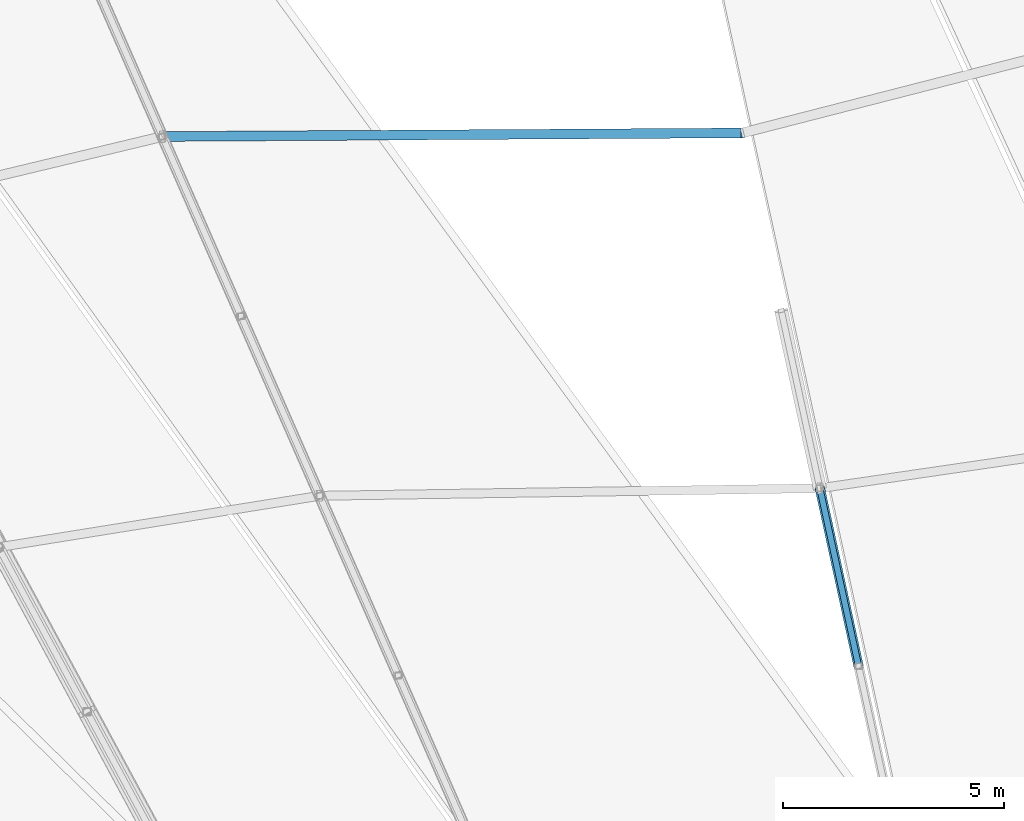
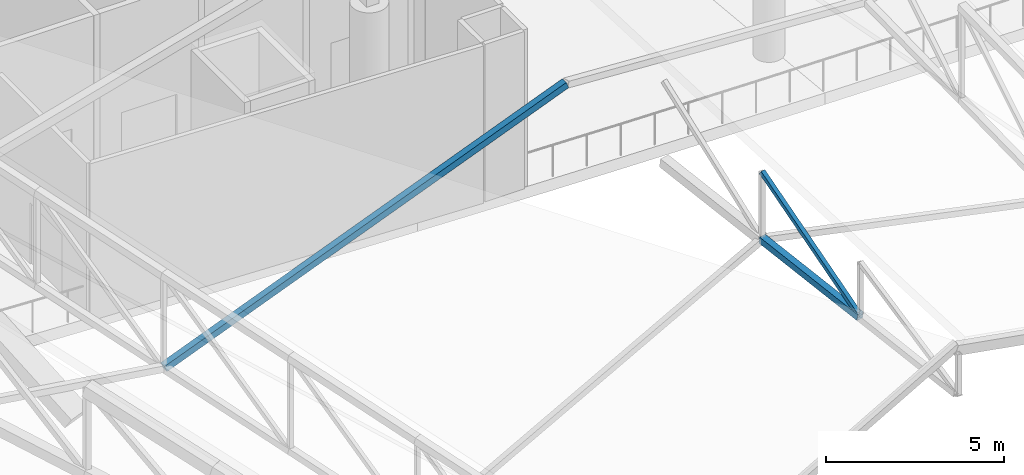
# One storey, part 148 of 344: 3 members.
"""IFC4 building model written with IfcOpenShell, lengths in metres."""

from ifc_helpers import new_model, si_unit, direction, frame, origin, origin_2d, place, context, subcontext, project, spatial, hollow_rectangle, extrude, material, material_profile, profile_set, type_object, element, save


model = new_model("IFC4")

# Units and contexts
model_context = context("Model", 3, precision=1e-05, world=origin(), true_north=direction((0.0, 1.0)))
body_context = subcontext(model_context, "Body", "Model", "MODEL_VIEW")
ifc_project = project(units=[si_unit("LENGTHUNIT", "METRE"), si_unit("AREAUNIT", "SQUARE_METRE"), si_unit("VOLUMEUNIT", "CUBIC_METRE"), si_unit("PLANEANGLEUNIT", "RADIAN"), si_unit("MASSUNIT", "GRAM", prefix="KILO")], contexts=[model_context])

# Site, building, storey
site_placement = place(None, origin())
site = spatial("IfcSite", under=ifc_project, at=site_placement, CompositionType="ELEMENT")
building_placement = place(site_placement, origin())
building = spatial("IfcBuilding", under=site, at=building_placement, Name="Meseta Stadium", CompositionType="ELEMENT")
storey_placement = place(building_placement, frame((0.0, 0.0, 24.0)))
storey = spatial("IfcBuildingStorey", under=building, at=storey_placement, Name="L04", CompositionType="ELEMENT", Elevation=24.0)

# Members
ifc_material_1 = material(Name="Steel S355", Category="steel")
ifc_material_profile_1 = material_profile(ifc_material_1, hollow_rectangle(XDim=0.139892578125, YDim=0.139892578125, WallThickness=0.0048828125, at=origin_2d()), Name="SHS 140x140x5")
ifc_profile_set_1 = profile_set([ifc_material_profile_1], Name="Steel S355")
member_type_1 = type_object("IfcMemberType", Name="SHS 140x140x5 diagonal", PredefinedType="BRACE", material=ifc_profile_set_1)
member_1_placement = place(storey_placement, frame((-15.2626953125, 69.847900390625, 5.834716796875), z_axis=(-0.174832190533, 0.803269823951, 0.569377989637), x_axis=(-0.977123732443, -0.212671604821, 0.0)))
element("IfcMember", 1, at=member_1_placement, inside=storey, type_object=member_type_1, Name="ROOF TRUSS RT-20 diagonal", PredefinedType="BRACE", context=body_context, shape_type="SweptSolid", body=[
    extrude(hollow_rectangle(XDim=0.139892578125, YDim=0.139892578125, WallThickness=0.0048828125, at=origin_2d()), origin(), (0.0, 0.0, 1.0), 4.99365234375),
])
ifc_material_2 = material(Name="Steel S355", Category="steel")
ifc_material_profile_2 = material_profile(ifc_material_2, hollow_rectangle(XDim=0.219970703125, YDim=0.219970703125, WallThickness=0.008056640625, at=origin_2d()), Name="SHS 220x220x8")
ifc_profile_set_2 = profile_set([ifc_material_profile_2], Name="Steel S355")
member_type_2 = type_object("IfcMemberType", Name="SHS 220x220x8 bottom chord", PredefinedType="CHORD", material=ifc_profile_set_2)
member_2_placement = place(storey_placement, frame((-15.2626953125, 69.847900390625, 5.834716796875), z_axis=(-0.210845171668, 0.968732150589, 0.130775892271), x_axis=(-0.977123732443, -0.212671604821, 0.0)))
element("IfcMember", 2, at=member_2_placement, inside=storey, type_object=member_type_2, Name="ROOF TRUSS RT-20 bottom chord", PredefinedType="CHORD", context=body_context, shape_type="SweptSolid", body=[
    extrude(hollow_rectangle(XDim=0.219970703125, YDim=0.219970703125, WallThickness=0.008056640625, at=origin_2d()), origin(), (0.0, 0.0, 1.0), 4.140625),
])
ifc_material_3 = material(Name="Steel S355", Category="steel")
ifc_material_profile_3 = material_profile(ifc_material_3, hollow_rectangle(XDim=0.219970703125, YDim=0.219970703125, WallThickness=0.008056640625, at=origin_2d()), Name="SHS 220x220x8")
ifc_profile_set_3 = profile_set([ifc_material_profile_3], Name="Steel S355")
member_type_3 = type_object("IfcMemberType", Name="SHS 220x220x8 strut", PredefinedType="STRUT", material=ifc_profile_set_3)
member_3_placement = place(storey_placement, frame((-17.881591796875, 81.88134765625, 7.45947265625), z_axis=(-0.931384230135, -0.005763322916, -0.363992032831), x_axis=(0.006187792742, -0.999980855427, 0.0)))
element("IfcMember", 3, at=member_3_placement, inside=storey, type_object=member_type_3, Name="ROOF TRUSS STRUT RT-20/21", PredefinedType="STRUT", context=body_context, shape_type="SweptSolid", body=[
    extrude(hollow_rectangle(XDim=0.219970703125, YDim=0.219970703125, WallThickness=0.008056640625, at=origin_2d()), origin(), (0.0, 0.0, 1.0), 14.06396484375),
])

save(model, "model.ifc")
